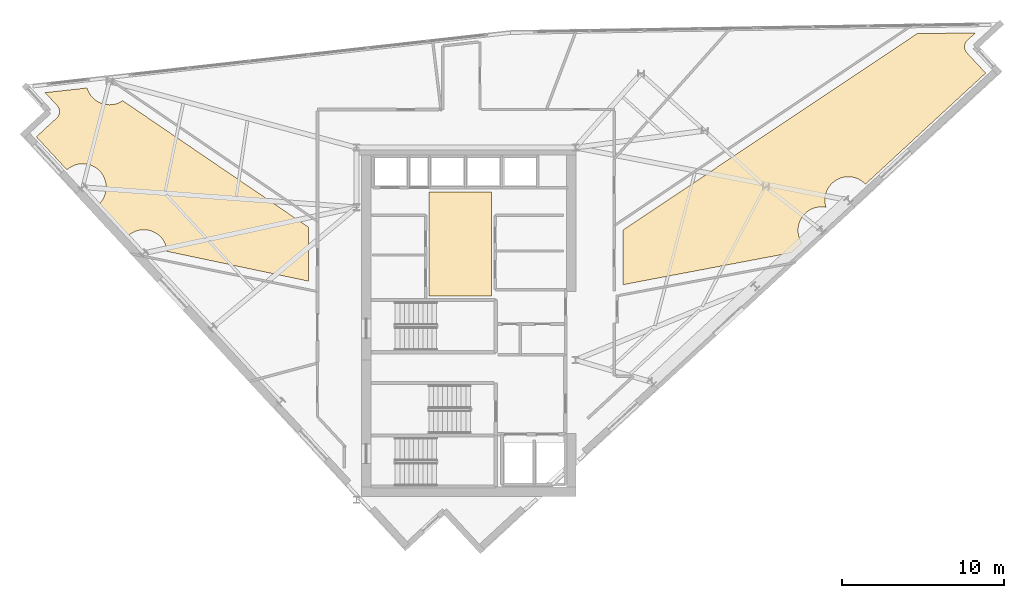
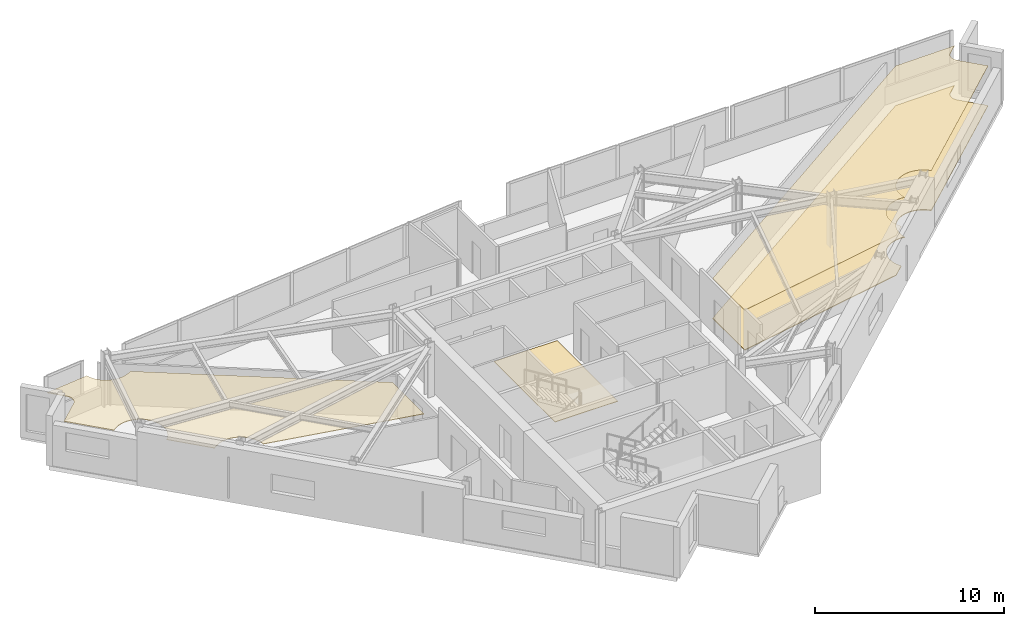
# One storey, part 14 of 14: 4 coverings.
"""IFC4 building model written with IfcOpenShell, lengths in metres."""

from ifc_helpers import new_model, si_unit, direction, frame, origin, place, context, subcontext, project, spatial, polyline, outline, extrude, material, layer, layer_set, type_object, element, save


model = new_model("IFC4")

# Units and contexts
model_context = context("Model", 3, precision=1e-05, world=origin(), true_north=direction((0.0, 1.0)))
body_context = subcontext(model_context, "Body", "Model", "MODEL_VIEW")
ifc_project = project(units=[si_unit("LENGTHUNIT", "METRE"), si_unit("AREAUNIT", "SQUARE_METRE"), si_unit("VOLUMEUNIT", "CUBIC_METRE"), si_unit("PLANEANGLEUNIT", "RADIAN"), si_unit("MASSUNIT", "GRAM", prefix="KILO")], contexts=[model_context])

# Site, building, storey
site_placement = place(None, origin())
site = spatial("IfcSite", under=ifc_project, at=site_placement, CompositionType="ELEMENT")
building_placement = place(site_placement, origin())
building = spatial("IfcBuilding", under=site, at=building_placement, Name="Narakoshi Arena Tower", CompositionType="ELEMENT")
storey_placement = place(building_placement, frame((0.0, 0.0, 288.89990234375)))
storey = spatial("IfcBuildingStorey", under=building, at=storey_placement, Name="L79", CompositionType="ELEMENT", Elevation=288.89990234375)

# Coverings
ifc_material_1 = material(Name="Slatted oak acoustic timber baffle", Category="wood")
ifc_layer_1 = layer(ifc_material_1, 0.034912109375)
ifc_layer_set_1 = layer_set([ifc_layer_1], Name="Slatted oak acoustic timber baffle")
covering_type_1 = type_object("IfcCoveringType", Name="COV-CLG-WD35", PredefinedType="CEILING", material=ifc_layer_set_1)
covering_1_placement = place(storey_placement, frame((0.0, 0.0, 2.5751953125)))
element("IfcCovering", 1, at=covering_1_placement, inside=storey, type_object=covering_type_1, Name="L79 Suspended Acoustic Ceiling 1", PredefinedType="CEILING", context=body_context, shape_type="SweptSolid", body=[
    extrude(outline(polyline([(88.50830078125, 51.405029296875), (106.69677734375, 63.54638671875), (110.31787109375, 63.606201171875), (109.814453125, 63.140625), (109.776611328125, 63.10205078125), (109.742919921875, 63.06005859375), (109.71337890625, 63.014892578125), (109.688232421875, 62.967041015625), (109.668212890625, 62.9169921875), (109.653076171875, 62.865234375), (109.64306640625, 62.81201171875), (109.63818359375, 62.75830078125), (109.638916015625, 62.704345703125), (109.64453125, 62.65087890625), (109.655517578125, 62.597900390625), (109.671875, 62.54638671875), (109.69287109375, 62.496826171875), (109.71875, 62.449462890625), (109.749267578125, 62.40478515625), (109.783935546875, 62.363525390625), (110.94140625, 61.111328125), (103.500244140625, 54.23291015625), (103.46875, 54.267822265625), (103.36328125, 54.36328125), (103.2490234375, 54.447998046875), (103.126953125, 54.521240234375), (102.998291015625, 54.58203125), (102.8642578125, 54.630126953125), (102.726318359375, 54.66455078125), (102.58544921875, 54.685546875), (102.443359375, 54.6923828125), (102.30126953125, 54.685546875), (102.160400390625, 54.66455078125), (102.0224609375, 54.630126953125), (101.888427734375, 54.58203125), (101.760009765625, 54.521240234375), (101.6376953125, 54.447998046875), (101.5234375, 54.36328125), (101.418212890625, 54.267822265625), (101.322509765625, 54.162353515625), (101.23779296875, 54.048095703125), (101.16455078125, 53.926025390625), (101.103759765625, 53.79736328125), (101.055908203125, 53.663330078125), (101.021240234375, 53.525390625), (101.00048828125, 53.384521484375), (100.993408203125, 53.242431640625), (101.00048828125, 53.100341796875), (101.021240234375, 52.959716796875), (101.055908203125, 52.821533203125), (101.062744140625, 52.802001953125), (100.923828125, 52.822509765625), (100.78173828125, 52.82958984375), (100.6396484375, 52.822509765625), (100.498779296875, 52.8017578125), (100.36083984375, 52.76708984375), (100.226806640625, 52.71923828125), (100.09814453125, 52.658447265625), (99.97607421875, 52.585205078125), (99.86181640625, 52.50048828125), (99.75634765625, 52.40478515625), (99.660888671875, 52.299560546875), (99.576171875, 52.185302734375), (99.5029296875, 52.06298828125), (99.442138671875, 51.9345703125), (99.39404296875, 51.800537109375), (99.359619140625, 51.66259765625), (99.338623046875, 51.521728515625), (99.331787109375, 51.379638671875), (99.338623046875, 51.237548828125), (99.359619140625, 51.0966796875), (99.39404296875, 50.958740234375), (99.442138671875, 50.82470703125), (99.5029296875, 50.696044921875), (99.56396484375, 50.59423828125), (98.91015625, 49.989990234375), (88.52783203125, 48.01904296875), (88.50830078125, 48.03662109375), (88.50830078125, 51.405029296875)])), origin(), (0.0, 0.0, 1.0), 0.034912109375),
])
covering_2_placement = place(storey_placement, frame((0.0, 0.0, 2.5751953125)))
element("IfcCovering", 2, at=covering_2_placement, inside=storey, type_object=covering_type_1, Name="L79 Suspended Acoustic Ceiling 2", PredefinedType="CEILING", context=body_context, shape_type="SweptSolid", body=[
    extrude(outline(polyline([(69.04150390625, 51.564453125), (69.04150390625, 48.22900390625), (60.279296875, 50.07373046875), (60.278076171875, 50.102783203125), (60.257080078125, 50.243408203125), (60.22265625, 50.381591796875), (60.174560546875, 50.515380859375), (60.11376953125, 50.64404296875), (60.04052734375, 50.76611328125), (59.955810546875, 50.880615234375), (59.8603515625, 50.98583984375), (59.7548828125, 51.08154296875), (59.640625, 51.166259765625), (59.5185546875, 51.239501953125), (59.389892578125, 51.30029296875), (59.255859375, 51.34814453125), (59.117919921875, 51.3828125), (58.97705078125, 51.403564453125), (58.8349609375, 51.41064453125), (58.69287109375, 51.403564453125), (58.552001953125, 51.3828125), (58.4140625, 51.34814453125), (58.280029296875, 51.30029296875), (58.151611328125, 51.239501953125), (58.029296875, 51.166259765625), (57.9150390625, 51.08154296875), (57.859130859375, 51.03076171875), (56.048583984375, 52.989501953125), (56.08349609375, 53.02099609375), (56.17919921875, 53.12646484375), (56.263916015625, 53.24072265625), (56.3369140625, 53.36279296875), (56.397705078125, 53.491455078125), (56.44580078125, 53.62548828125), (56.480224609375, 53.763427734375), (56.501220703125, 53.904296875), (56.50830078125, 54.04638671875), (56.501220703125, 54.1884765625), (56.480224609375, 54.3291015625), (56.44580078125, 54.46728515625), (56.397705078125, 54.601318359375), (56.3369140625, 54.729736328125), (56.263916015625, 54.851806640625), (56.17919921875, 54.96630859375), (56.08349609375, 55.071533203125), (55.97802734375, 55.167236328125), (55.86376953125, 55.251953125), (55.74169921875, 55.3251953125), (55.613037109375, 55.385986328125), (55.47900390625, 55.433837890625), (55.341064453125, 55.468505859375), (55.2001953125, 55.4892578125), (55.05810546875, 55.496337890625), (54.916015625, 55.4892578125), (54.775390625, 55.468505859375), (54.63720703125, 55.433837890625), (54.50341796875, 55.385986328125), (54.374755859375, 55.3251953125), (54.252685546875, 55.251953125), (54.13818359375, 55.167236328125), (54.08251953125, 55.116455078125), (52.1884765625, 57.16552734375), (53.4404296875, 58.322998046875), (53.478271484375, 58.361572265625), (53.51220703125, 58.403564453125), (53.54150390625, 58.44873046875), (53.566650390625, 58.49658203125), (53.586669921875, 58.546630859375), (53.601806640625, 58.598388671875), (53.61181640625, 58.6513671875), (53.61669921875, 58.705078125), (53.6162109375, 58.75927734375), (53.6103515625, 58.812744140625), (53.599365234375, 58.86572265625), (53.5830078125, 58.917236328125), (53.56201171875, 58.966796875), (53.535888671875, 59.01416015625), (53.505615234375, 59.058837890625), (53.470947265625, 59.10009765625), (52.731689453125, 59.89990234375), (55.326171875, 60.190673828125), (55.32958984375, 60.17724609375), (55.37744140625, 60.043212890625), (55.438232421875, 59.91455078125), (55.511474609375, 59.79248046875), (55.59619140625, 59.67822265625), (55.69189453125, 59.57275390625), (55.797119140625, 59.477294921875), (55.91162109375, 59.392578125), (56.03369140625, 59.3193359375), (56.162109375, 59.258544921875), (56.296142578125, 59.21044921875), (56.43408203125, 59.176025390625), (56.574951171875, 59.155029296875), (56.717041015625, 59.148193359375), (56.859130859375, 59.155029296875), (57.0, 59.176025390625), (57.137939453125, 59.21044921875), (57.27197265625, 59.258544921875), (57.400634765625, 59.3193359375), (57.522705078125, 59.392578125), (57.533203125, 59.400146484375), (69.04150390625, 51.564453125)])), origin(), (0.0, 0.0, 1.0), 0.034912109375),
])
ifc_material_2 = material(Name="Raised steel access floor panel", Category="steel")
ifc_layer_2 = layer(ifc_material_2, 0.044921875)
ifc_layer_set_2 = layer_set([ifc_layer_2], Name="Raised steel access floor panel")
covering_type_2 = type_object("IfcCoveringType", Name="COV-FLR-RF45", PredefinedType="FLOORING", material=ifc_layer_set_2)
covering_3_placement = place(storey_placement, origin())
element("IfcCovering", 3, at=covering_3_placement, inside=storey, type_object=covering_type_2, Name="L79 Raised Steel Access Floor", PredefinedType="FLOORING", context=body_context, shape_type="SweptSolid", body=[
    extrude(outline(polyline([(88.50830078125, 51.405029296875), (106.69677734375, 63.54638671875), (110.31787109375, 63.606201171875), (109.814453125, 63.140625), (109.776611328125, 63.10205078125), (109.742919921875, 63.06005859375), (109.71337890625, 63.014892578125), (109.688232421875, 62.967041015625), (109.668212890625, 62.9169921875), (109.653076171875, 62.865234375), (109.64306640625, 62.81201171875), (109.63818359375, 62.75830078125), (109.638916015625, 62.704345703125), (109.64453125, 62.65087890625), (109.655517578125, 62.597900390625), (109.671875, 62.54638671875), (109.69287109375, 62.496826171875), (109.71875, 62.449462890625), (109.749267578125, 62.40478515625), (109.783935546875, 62.363525390625), (110.94140625, 61.111328125), (103.500244140625, 54.23291015625), (103.46875, 54.267822265625), (103.36328125, 54.36328125), (103.2490234375, 54.447998046875), (103.126953125, 54.521240234375), (102.998291015625, 54.58203125), (102.8642578125, 54.630126953125), (102.726318359375, 54.66455078125), (102.58544921875, 54.685546875), (102.443359375, 54.6923828125), (102.30126953125, 54.685546875), (102.160400390625, 54.66455078125), (102.0224609375, 54.630126953125), (101.888427734375, 54.58203125), (101.760009765625, 54.521240234375), (101.6376953125, 54.447998046875), (101.5234375, 54.36328125), (101.418212890625, 54.267822265625), (101.322509765625, 54.162353515625), (101.23779296875, 54.048095703125), (101.16455078125, 53.926025390625), (101.103759765625, 53.79736328125), (101.055908203125, 53.663330078125), (101.021240234375, 53.525390625), (101.00048828125, 53.384521484375), (100.993408203125, 53.242431640625), (101.00048828125, 53.100341796875), (101.021240234375, 52.959716796875), (101.055908203125, 52.821533203125), (101.062744140625, 52.802001953125), (100.923828125, 52.822509765625), (100.78173828125, 52.82958984375), (100.6396484375, 52.822509765625), (100.498779296875, 52.8017578125), (100.36083984375, 52.76708984375), (100.226806640625, 52.71923828125), (100.09814453125, 52.658447265625), (99.97607421875, 52.585205078125), (99.86181640625, 52.50048828125), (99.75634765625, 52.40478515625), (99.660888671875, 52.299560546875), (99.576171875, 52.185302734375), (99.5029296875, 52.06298828125), (99.442138671875, 51.9345703125), (99.39404296875, 51.800537109375), (99.359619140625, 51.66259765625), (99.338623046875, 51.521728515625), (99.331787109375, 51.379638671875), (99.338623046875, 51.237548828125), (99.359619140625, 51.0966796875), (99.39404296875, 50.958740234375), (99.442138671875, 50.82470703125), (99.5029296875, 50.696044921875), (99.56396484375, 50.59423828125), (98.91015625, 49.989990234375), (88.52783203125, 48.01904296875), (88.50830078125, 48.03662109375), (88.50830078125, 51.405029296875)])), origin(), (0.0, 0.0, 1.0), 0.045166015625),
])
ifc_material_3 = material(Name="Honed granite stone paving", Category="masonry")
ifc_layer_3 = layer(ifc_material_3, 0.030029296875)
ifc_layer_set_3 = layer_set([ifc_layer_3], Name="Honed granite stone paving")
covering_type_3 = type_object("IfcCoveringType", Name="COV-FLR-ST30", PredefinedType="FLOORING", material=ifc_layer_set_3)
covering_4_placement = place(storey_placement, origin())
element("IfcCovering", 4, at=covering_4_placement, inside=storey, type_object=covering_type_3, Name="L79 Lift Lobby Granite Flooring", PredefinedType="FLOORING", context=body_context, shape_type="SweptSolid", body=[
    extrude(outline(polyline([(76.5, 47.300048828125), (80.35009765625, 47.300048828125), (80.35009765625, 53.75), (76.5, 53.75), (76.5, 47.300048828125)])), origin(), (0.0, 0.0, 1.0), 0.030029296875),
])

save(model, "model.ifc")
